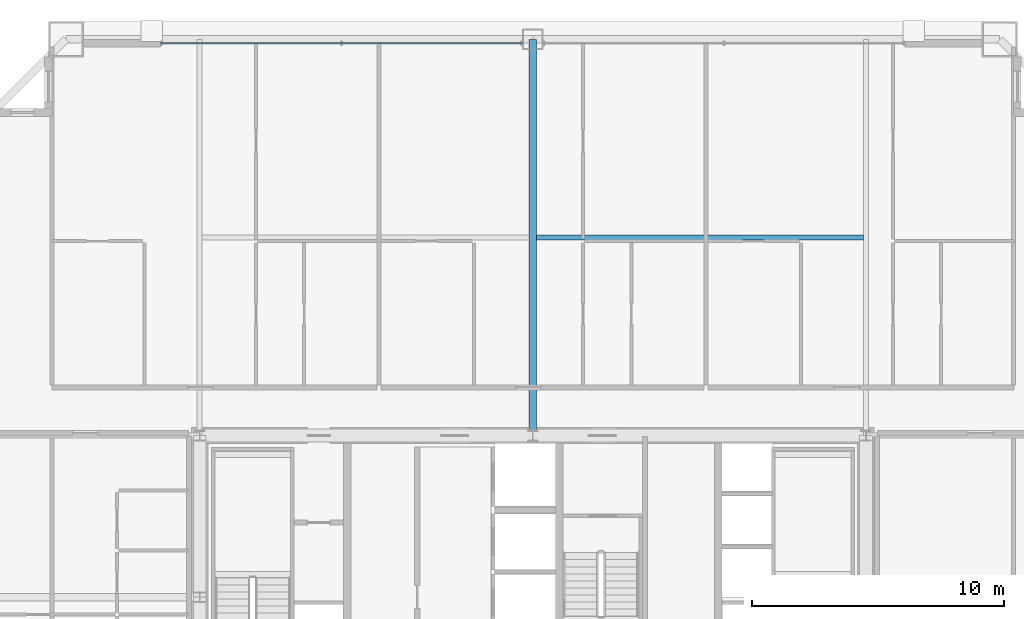
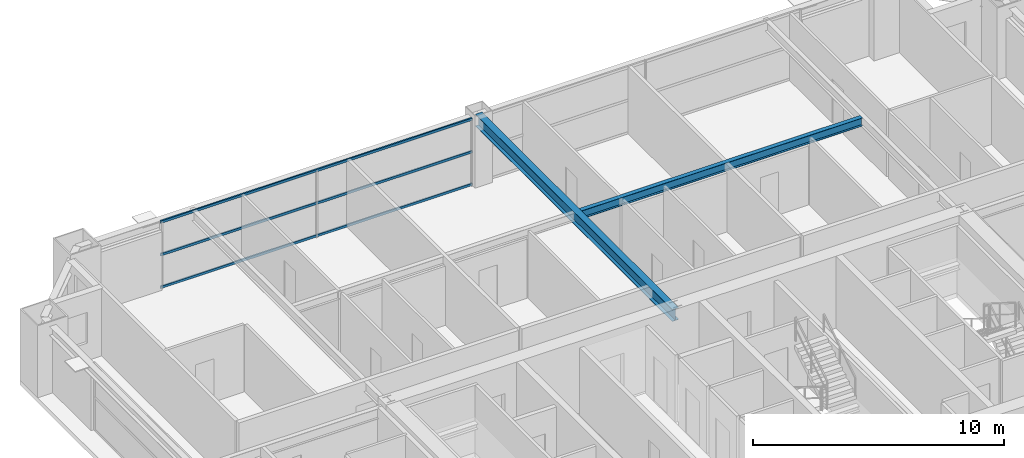
# One storey, part 28 of 38: 3 members, 2 beams, 1 element without a shape of its own.
"""IFC4 building model written with IfcOpenShell, lengths in metres."""

from ifc_helpers import new_model, si_unit, direction, frame, origin, origin_2d, place, context, subcontext, project, spatial, hollow_rectangle, i_section, extrude, source, transform, mapped, material, layer, layer_set, material_profile, profile_set, type_object, element, aggregate, save


model = new_model("IFC4")

# Units and contexts
model_context = context("Model", 3, precision=1e-05, world=origin(), true_north=direction((0.0, 1.0)))
body_context = subcontext(model_context, "Body", "Model", "MODEL_VIEW")
ifc_project = project(units=[si_unit("LENGTHUNIT", "METRE"), si_unit("AREAUNIT", "SQUARE_METRE"), si_unit("VOLUMEUNIT", "CUBIC_METRE"), si_unit("PLANEANGLEUNIT", "RADIAN"), si_unit("MASSUNIT", "GRAM", prefix="KILO"), si_unit("THERMODYNAMICTEMPERATUREUNIT", "KELVIN"), si_unit("POWERUNIT", "WATT")], contexts=[model_context])

# Site, building, storey
site_placement = place(None, origin())
site = spatial("IfcSite", under=ifc_project, at=site_placement, CompositionType="ELEMENT")
building_placement = place(site_placement, origin())
building = spatial("IfcBuilding", under=site, at=building_placement, Name="Yuzanri Waterfront Tower", CompositionType="ELEMENT")
storey_placement = place(building_placement, frame((0.0, 0.0, 209.0)))
storey = spatial("IfcBuildingStorey", under=building, at=storey_placement, Name="L55", CompositionType="ELEMENT", Elevation=209.0)

# Beams
ifc_material_1 = material(Name="Steel Q355B", Category="steel")
ifc_material_profile_1 = material_profile(ifc_material_1, i_section(OverallWidth=0.199951171875, OverallDepth=0.39990234375, WebThickness=0.008056640625, FlangeThickness=0.012939453125, at=origin_2d()), Name="HN 400x200x8x13")
ifc_profile_set_1 = profile_set([ifc_material_profile_1], Name="Steel Q355B")
beam_type_1 = type_object("IfcBeamType", Name="Floor Joist Q355B HN 400x200", PredefinedType="JOIST", material=ifc_profile_set_1)
shared_shape_1 = source(origin(), body_context, "Body", "SweptSolid", [
    extrude(i_section(OverallWidth=0.199951171875, OverallDepth=0.39990234375, WebThickness=0.008056640625, FlangeThickness=0.012939453125, at=origin_2d()), origin(), (0.0, 0.0, 1.0), 12.9501953125),
])
beam_1_placement = place(storey_placement, frame((37.14990234375, 40.050048828125, 3.080078125), z_axis=(1.0, 0.0, 0.0), x_axis=(0.0, 1.0, 0.0)))
element("IfcBeam", 1, at=beam_1_placement, inside=storey, type_object=beam_type_1, Name="L55 North Bay Joist E", PredefinedType="JOIST", context=body_context, shape_type="MappedRepresentation", body=[
    mapped(shared_shape_1, transform((0.0, 0.0, 0.0), scale=1.0)),
])
ifc_material_2 = material(Name="Steel Q355B", Category="steel")
ifc_material_profile_2 = material_profile(ifc_material_2, i_section(OverallWidth=0.300048828125, OverallDepth=0.587890625, WebThickness=0.011962890625, FlangeThickness=0.02001953125, at=origin_2d()), Name="HM 588x300x12x20")
ifc_profile_set_2 = profile_set([ifc_material_profile_2], Name="Steel Q355B")
beam_type_2 = type_object("IfcBeamType", Name="Primary Floor Girder Q355B HM 588x300", PredefinedType="BEAM", material=ifc_profile_set_2)
shared_shape_2 = source(origin(), body_context, "Body", "SweptSolid", [
    extrude(i_section(OverallWidth=0.300048828125, OverallDepth=0.587890625, WebThickness=0.011962890625, FlangeThickness=0.02001953125, at=origin_2d()), origin(), (0.0, 0.0, 1.0), 15.699951171875),
])
beam_2_placement = place(storey_placement, frame((37.0, 32.199951171875, 2.986083984375), z_axis=(0.0, 1.0, 0.0), x_axis=(-1.0, 0.0, 0.0)))
element("IfcBeam", 2, at=beam_2_placement, inside=storey, type_object=beam_type_2, Name="L55 North Grid Girder", PredefinedType="BEAM", context=body_context, shape_type="MappedRepresentation", body=[
    mapped(shared_shape_2, transform((0.0, 0.0, 0.0), scale=1.0)),
])

# Curtain wall, members
ifc_material_3 = material(Name="Anodized Architectural Bronze", Category="metal")
ifc_layer = layer(ifc_material_3, 0.159912109375)
ifc_layer_set = layer_set([ifc_layer], Name="Anodized Architectural Bronze")
curtain_wall_type = type_object("IfcCurtainWallType", Name="Anodized Bronze Mid-Rise Residential Acoustic Unitized Curtain Wall 7200", PredefinedType="NOTDEFINED", material=ifc_layer_set)
curtain_wall_placement = place(storey_placement, origin())
curtain_wall = element("IfcCurtainWall", 3, at=curtain_wall_placement, inside=storey, type_object=curtain_wall_type, Name="L55 Curtain Wall CW-L55-NL", PredefinedType="NOTDEFINED")
ifc_material_4 = material(Name="Anodized Architectural Bronze", Category="metal")
ifc_material_profile_3 = material_profile(ifc_material_4, hollow_rectangle(XDim=0.06494140625, YDim=0.1201171875, WallThickness=0.00341796875, at=origin_2d()), Name="CWT 65x120")
ifc_profile_set_3 = profile_set([ifc_material_profile_3], Name="Anodized Architectural Bronze")
member_type = type_object("IfcMemberType", Name="Anodized Bronze Secondary Curtain-Wall Transom 65x120", PredefinedType="USERDEFINED", material=ifc_profile_set_3)
shared_shape_3 = source(origin(), body_context, "Body", "SweptSolid", [
    extrude(hollow_rectangle(XDim=0.06494140625, YDim=0.1201171875, WallThickness=0.00341796875, at=origin_2d()), origin(), (0.0, 0.0, 1.0), 14.35009765625),
])
member_1_placement = place(storey_placement, frame((22.25, 47.75, 0.050048828125), z_axis=(1.0, 0.0, 0.0), x_axis=(0.0, 1.0, 0.0)))
member_1 = element("IfcMember", 4, at=member_1_placement, type_object=member_type, Name="CW-L55-NL Transom 1", ObjectType="TRANSOM", PredefinedType="USERDEFINED", context=body_context, shape_type="MappedRepresentation", body=[
    mapped(shared_shape_3, transform((0.0, 0.0, 0.0), scale=1.0)),
])
member_2_placement = place(storey_placement, frame((22.25, 47.75, 1.639892578125), z_axis=(1.0, 0.0, 0.0), x_axis=(0.0, 1.0, 0.0)))
member_2 = element("IfcMember", 5, at=member_2_placement, type_object=member_type, Name="CW-L55-NL Transom 2", ObjectType="TRANSOM", PredefinedType="USERDEFINED", context=body_context, shape_type="MappedRepresentation", body=[
    mapped(shared_shape_3, transform((0.0, 0.0, 0.0), scale=1.0)),
])
member_3_placement = place(storey_placement, frame((22.25, 47.75, 3.22998046875), z_axis=(1.0, 0.0, 0.0), x_axis=(0.0, 1.0, 0.0)))
member_3 = element("IfcMember", 6, at=member_3_placement, type_object=member_type, Name="CW-L55-NL Transom 3", ObjectType="TRANSOM", PredefinedType="USERDEFINED", context=body_context, shape_type="MappedRepresentation", body=[
    mapped(shared_shape_3, transform((0.0, 0.0, 0.0), scale=1.0)),
])
aggregate(curtain_wall, [member_1, member_2, member_3])

save(model, "model.ifc")
